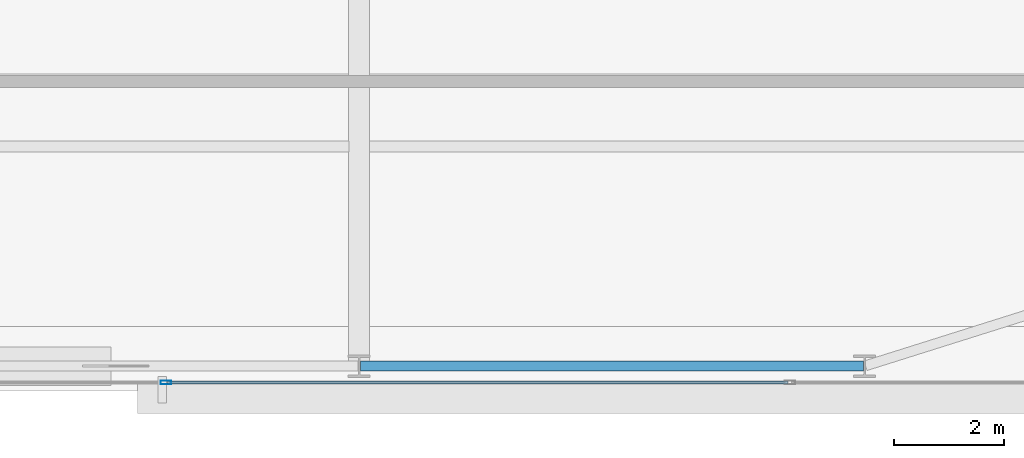
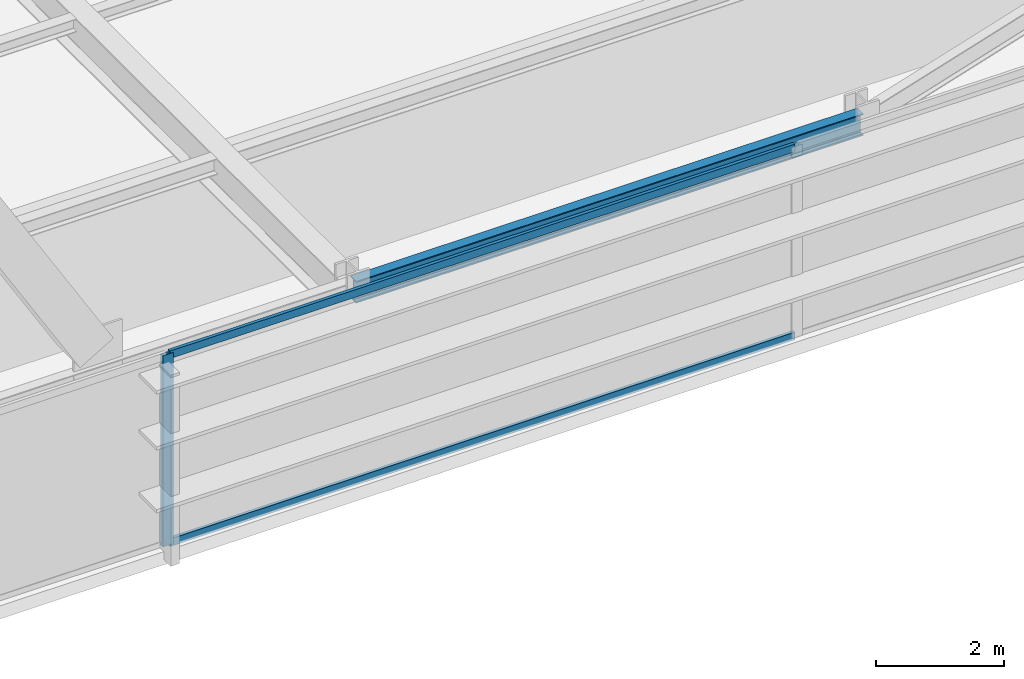
# One storey, part 12 of 35: 3 members, 1 beam, 1 element without a shape of its own.
"""IFC4 building model written with IfcOpenShell, lengths in metres."""

from ifc_helpers import new_model, si_unit, direction, frame, origin, origin_2d, place, context, subcontext, project, spatial, hollow_rectangle, i_section, extrude, source, transform, mapped, material, layer, layer_set, material_profile, profile_set, type_object, type_shapes, element, aggregate, save


model = new_model("IFC4")

# Units and contexts
model_context = context("Model", 3, precision=1e-05, world=origin(), true_north=direction((0.0, 1.0)))
body_context = subcontext(model_context, "Body", "Model", "MODEL_VIEW")
ifc_project = project(units=[si_unit("LENGTHUNIT", "METRE"), si_unit("AREAUNIT", "SQUARE_METRE"), si_unit("VOLUMEUNIT", "CUBIC_METRE"), si_unit("PLANEANGLEUNIT", "RADIAN"), si_unit("MASSUNIT", "GRAM", prefix="KILO")], contexts=[model_context])

# Site, building, storey
site_placement = place(None, origin())
site = spatial("IfcSite", under=ifc_project, at=site_placement, CompositionType="ELEMENT")
building_placement = place(site_placement, origin())
building = spatial("IfcBuilding", under=site, at=building_placement, Name="Varnel Quay Broadcast Tower", CompositionType="ELEMENT")
storey_placement = place(building_placement, frame((0.0, 0.0, 31.5)))
storey = spatial("IfcBuildingStorey", under=building, at=storey_placement, Name="L06", CompositionType="ELEMENT", Elevation=31.5)

# Beam
ifc_material_1 = material(Name="Structural Steel CSA G40.21 350W", Category="steel")
ifc_material_profile_1 = material_profile(ifc_material_1, i_section(OverallWidth=0.180908203125, OverallDepth=0.4169921875, WebThickness=0.010986328125, FlangeThickness=0.018310546875, FilletRadius=0.011962890625, at=origin_2d()), Name="W410X85")
ifc_profile_set_1 = profile_set([ifc_material_profile_1], Name="Structural Steel CSA G40.21 350W")
beam_type = type_object("IfcBeamType", Name="Beam_W410X85", PredefinedType="SPANDREL", material=ifc_profile_set_1)
shared_shape_1 = source(origin(), body_context, "Body", "SweptSolid", [
    extrude(i_section(OverallWidth=0.180908203125, OverallDepth=0.4169921875, WebThickness=0.010986328125, FlangeThickness=0.018310546875, FilletRadius=0.011962890625, at=origin_2d()), origin(), (0.0, 0.0, 1.0), 9.159912109375),
])
type_shapes(beam_type, [shared_shape_1])
beam_placement = place(storey_placement, frame((43.219970703125, 1.64990234375, 3.44140625), z_axis=(1.0, 0.0, 0.0), x_axis=(0.0, 1.0, 0.0)))
element("IfcBeam", 1, at=beam_placement, inside=storey, type_object=beam_type, Name="L06 South Spandrel TC-S4-TC-S5", PredefinedType="SPANDREL", context=body_context, shape_type="MappedRepresentation", body=[
    mapped(shared_shape_1, transform((0.0, 0.0, 0.0), x_axis=(1.0, 0.0, 0.0), y_axis=(0.0, 1.0, 0.0), z_axis=(0.0, 0.0, 1.0), scale=1.0)),
])

# Curtain wall, members
ifc_material_2 = material(Name="Anodised Bronze Aluminium 6063-T6", Category="aluminium")
ifc_layer = layer(ifc_material_2, 0.18994140625, Name="Anodised Bronze Aluminium 6063-T6")
ifc_layer_set = layer_set([ifc_layer], Name="Anodised Bronze Aluminium 6063-T6")
curtain_wall_type = type_object("IfcCurtainWallType", Name="CW_LowerTower", PredefinedType="NOTDEFINED", material=ifc_layer_set)
curtain_wall_placement = place(storey_placement, origin())
curtain_wall = element("IfcCurtainWall", 2, at=curtain_wall_placement, inside=storey, type_object=curtain_wall_type, Name="L06 South Unitised Curtain Wall 1", PredefinedType="NOTDEFINED")
ifc_material_profile_2 = material_profile(ifc_material_2, hollow_rectangle(XDim=0.070068359375, YDim=0.18994140625, WallThickness=0.00390625, at=origin_2d()), Name="ALU70X190X4")
ifc_profile_set_2 = profile_set([ifc_material_profile_2], Name="Anodised Bronze Aluminium 6063-T6")
member_type_1 = type_object("IfcMemberType", Name="Mull_CWS-02", PredefinedType="MULLION", material=ifc_profile_set_2)
shared_shape_2 = source(origin(), body_context, "Body", "SweptSolid", [
    extrude(hollow_rectangle(XDim=0.070068359375, YDim=0.18994140625, WallThickness=0.00390625, at=origin_2d()), origin(), (0.0, 0.0, 1.0), 3.64990234375),
])
type_shapes(member_type_1, [shared_shape_2])
member_1_placement = place(storey_placement, frame((39.679931640625, 1.35009765625, 0.0), z_axis=(0.0, 0.0, 1.0), x_axis=(0.0, 1.0, 0.0)))
member_1 = element("IfcMember", 3, at=member_1_placement, type_object=member_type_1, Name="CWS-02 mullion 4", PredefinedType="MULLION", context=body_context, shape_type="MappedRepresentation", body=[
    mapped(shared_shape_2, transform((0.0, 0.0, 0.0), x_axis=(1.0, 0.0, 0.0), y_axis=(0.0, 1.0, 0.0), z_axis=(0.0, 0.0, 1.0), scale=1.0)),
])
ifc_material_profile_3 = material_profile(ifc_material_2, hollow_rectangle(XDim=0.06005859375, YDim=0.14501953125, WallThickness=0.00341796875, at=origin_2d()), Name="ALU60X145X3.5")
ifc_profile_set_3 = profile_set([ifc_material_profile_3], Name="Anodised Bronze Aluminium 6063-T6")
member_type_2 = type_object("IfcMemberType", Name="Tran_CWS-02", PredefinedType="USERDEFINED", material=ifc_profile_set_3)
shared_shape_3 = source(origin(), body_context, "Body", "SweptSolid", [
    extrude(hollow_rectangle(XDim=0.06005859375, YDim=0.14501953125, WallThickness=0.00341796875, at=origin_2d()), origin(), (0.0, 0.0, 1.0), 11.289794921875),
])
type_shapes(member_type_2, [shared_shape_3])
member_2_placement = place(storey_placement, frame((39.715087890625, 1.35009765625, 0.030029296875), z_axis=(1.0, 0.0, 0.0), x_axis=(0.0, 1.0, 0.0)))
member_2 = element("IfcMember", 4, at=member_2_placement, type_object=member_type_2, Name="CWS-02 transom 4.1", ObjectType="TRANSOM", PredefinedType="USERDEFINED", context=body_context, shape_type="MappedRepresentation", body=[
    mapped(shared_shape_3, transform((0.0, 0.0, 0.0), x_axis=(1.0, 0.0, 0.0), y_axis=(0.0, 1.0, 0.0), z_axis=(0.0, 0.0, 1.0), scale=1.0)),
])
member_3_placement = place(storey_placement, frame((39.715087890625, 1.35009765625, 3.6201171875), z_axis=(1.0, 0.0, 0.0), x_axis=(0.0, 1.0, 0.0)))
member_3 = element("IfcMember", 5, at=member_3_placement, type_object=member_type_2, Name="CWS-02 transom 4.2", ObjectType="TRANSOM", PredefinedType="USERDEFINED", context=body_context, shape_type="MappedRepresentation", body=[
    mapped(shared_shape_3, transform((0.0, 0.0, 0.0), x_axis=(1.0, 0.0, 0.0), y_axis=(0.0, 1.0, 0.0), z_axis=(0.0, 0.0, 1.0), scale=1.0)),
])
aggregate(curtain_wall, [member_1, member_2, member_3])

save(model, "model.ifc")
